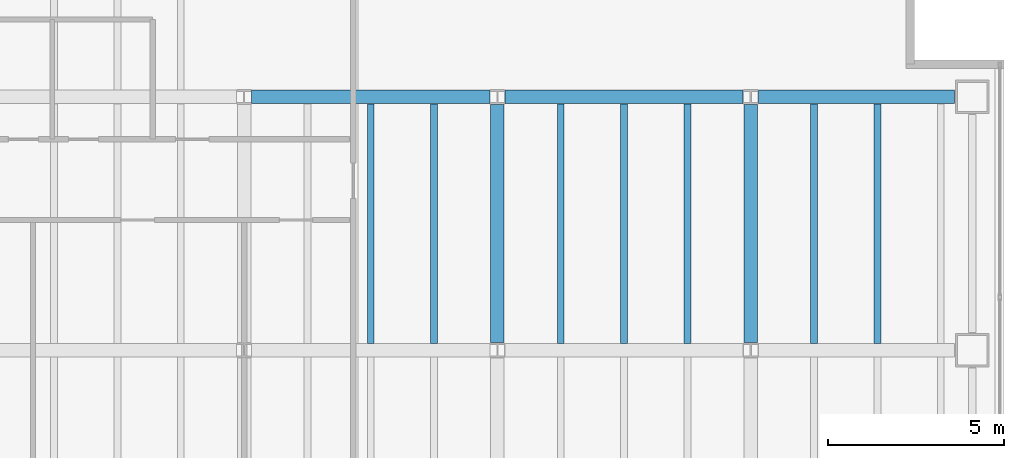
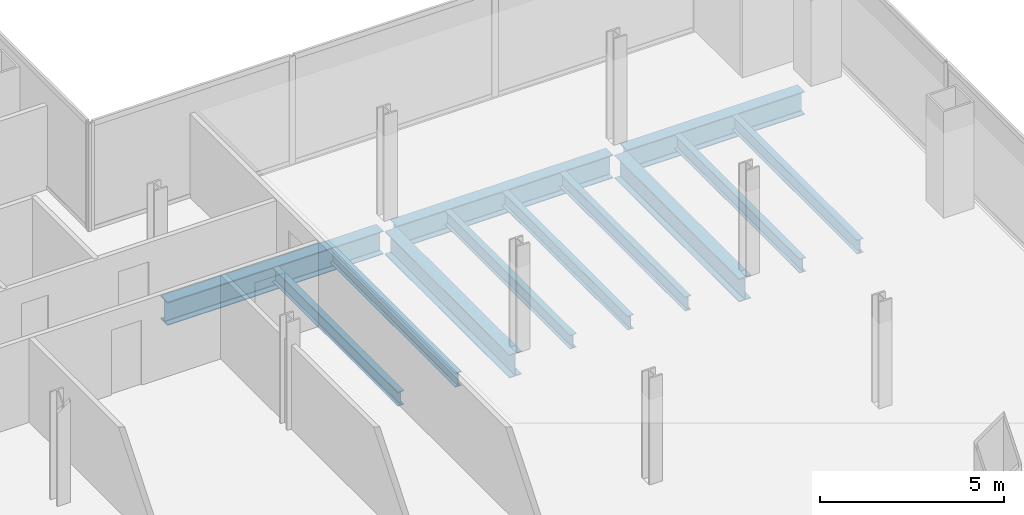
# One storey, part 11 of 24: 12 beams.
"""IFC4 building model written with IfcOpenShell, lengths in metres."""

from ifc_helpers import new_model, si_unit, direction, frame, origin, origin_2d, place, context, subcontext, project, spatial, i_section, extrude, material, material_profile, profile_set, type_object, element, save


model = new_model("IFC4")

# Units and contexts
model_context = context("Model", 3, precision=1e-05, world=origin(), true_north=direction((0.0, 1.0)))
body_context = subcontext(model_context, "Body", "Model", "MODEL_VIEW")
ifc_project = project(units=[si_unit("LENGTHUNIT", "METRE"), si_unit("AREAUNIT", "SQUARE_METRE"), si_unit("VOLUMEUNIT", "CUBIC_METRE"), si_unit("PLANEANGLEUNIT", "RADIAN"), si_unit("MASSUNIT", "GRAM", prefix="KILO")], contexts=[model_context])

# Site, building, storey
site_placement = place(None, origin())
site = spatial("IfcSite", under=ifc_project, at=site_placement, CompositionType="ELEMENT")
building_placement = place(site_placement, origin())
building = spatial("IfcBuilding", under=site, at=building_placement, Name="Cobrela Telecom Tower", CompositionType="ELEMENT")
storey_placement = place(building_placement, frame((0.0, 0.0, 77.35009765625)))
storey = spatial("IfcBuildingStorey", under=building, at=storey_placement, Name="L19", CompositionType="ELEMENT", Elevation=77.35009765625)

# Beams
ifc_material = material(Name="Steel ASTM A992 Grade 50", Category="steel")
ifc_material_profile_1 = material_profile(ifc_material, i_section(OverallWidth=0.381103515625, OverallDepth=0.77197265625, WebThickness=0.0166015625, FlangeThickness=0.027099609375, FilletRadius=0.01904296875, at=origin_2d()), Name="W30X173")
ifc_profile_set_1 = profile_set([ifc_material_profile_1], Name="Steel ASTM A992 Grade 50")
beam_type_1 = type_object("IfcBeamType", Name="BM-GIRD-04", PredefinedType="USERDEFINED", material=ifc_profile_set_1)
for number, where, z_axis, x_axis, name in (
    (1, (29.01611328125, 21.60009765625, -0.666015625), (1.0, 0.0, 0.0), (0.0, 1.0, 0.0), "L19 Primary Girder X20"),
    (2, (36.216064453125, 21.60009765625, -0.666015625), (1.0, 0.0, 0.0), (0.0, 1.0, 0.0), "L19 Primary Girder X21"),
):
    element("IfcBeam", number, at=place(storey_placement, frame(where, z_axis=z_axis, x_axis=x_axis)), inside=storey, type_object=beam_type_1, Name=name, ObjectType="GIRDER", PredefinedType="USERDEFINED", context=body_context, shape_type="SweptSolid", body=[
        extrude(i_section(OverallWidth=0.381103515625, OverallDepth=0.77197265625, WebThickness=0.0166015625, FlangeThickness=0.027099609375, FilletRadius=0.01904296875, at=origin_2d()), origin(), (0.0, 0.0, 1.0), 6.767822265625),
    ])
beam_placement = place(storey_placement, frame((43.416015625, 21.60009765625, -0.666015625), z_axis=(1.0, 0.0, 0.0), x_axis=(0.0, 1.0, 0.0)))
element("IfcBeam", 3, at=beam_placement, inside=storey, type_object=beam_type_1, Name="L19 Primary Girder X22", ObjectType="GIRDER", PredefinedType="USERDEFINED", context=body_context, shape_type="SweptSolid", body=[
    extrude(i_section(OverallWidth=0.381103515625, OverallDepth=0.77197265625, WebThickness=0.0166015625, FlangeThickness=0.027099609375, FilletRadius=0.01904296875, at=origin_2d()), origin(), (0.0, 0.0, 1.0), 5.5791015625),
])
for number, where, z_axis, x_axis, name in (
    (4, (36.0, 14.615966796875, -0.666015625), (0.0, 1.0, 0.0), (-1.0, 0.0, 0.0), "L19 Primary Girder Y52"),
    (5, (43.199951171875, 14.615966796875, -0.666015625), (0.0, 1.0, 0.0), (-1.0, 0.0, 0.0), "L19 Primary Girder Y55"),
):
    element("IfcBeam", number, at=place(storey_placement, frame(where, z_axis=z_axis, x_axis=x_axis)), inside=storey, type_object=beam_type_1, Name=name, ObjectType="GIRDER", PredefinedType="USERDEFINED", context=body_context, shape_type="SweptSolid", body=[
        extrude(i_section(OverallWidth=0.381103515625, OverallDepth=0.77197265625, WebThickness=0.0166015625, FlangeThickness=0.027099609375, FilletRadius=0.01904296875, at=origin_2d()), origin(), (0.0, 0.0, 1.0), 6.76806640625),
    ])
ifc_material_profile_2 = material_profile(ifc_material, i_section(OverallWidth=0.193115234375, OverallDepth=0.467041015625, WebThickness=0.011474609375, FlangeThickness=0.01904296875, FilletRadius=0.012939453125, at=origin_2d()), Name="W18X65")
ifc_profile_set_2 = profile_set([ifc_material_profile_2], Name="Steel ASTM A992 Grade 50")
beam_type_2 = type_object("IfcBeamType", Name="BM-JOIST-03", PredefinedType="JOIST", material=ifc_profile_set_2)
for number, where, z_axis, x_axis, name in (
    (6, (32.39990234375, 14.595458984375, -0.513671875), (0.0, 1.0, 0.0), (-1.0, 0.0, 0.0), "L19 Secondary Composite Floor Beam J46"),
    (7, (34.199951171875, 14.595458984375, -0.513671875), (0.0, 1.0, 0.0), (-1.0, 0.0, 0.0), "L19 Secondary Composite Floor Beam J49"),
    (8, (37.800048828125, 14.595458984375, -0.513671875), (0.0, 1.0, 0.0), (-1.0, 0.0, 0.0), "L19 Secondary Composite Floor Beam J52"),
    (9, (39.60009765625, 14.595458984375, -0.513671875), (0.0, 1.0, 0.0), (-1.0, 0.0, 0.0), "L19 Secondary Composite Floor Beam J55"),
    (10, (41.39990234375, 14.595458984375, -0.513671875), (0.0, 1.0, 0.0), (-1.0, 0.0, 0.0), "L19 Secondary Composite Floor Beam J58"),
    (11, (45.0, 14.595458984375, -0.513671875), (0.0, 1.0, 0.0), (-1.0, 0.0, 0.0), "L19 Secondary Composite Floor Beam J60"),
    (12, (46.800048828125, 14.595458984375, -0.513671875), (0.0, 1.0, 0.0), (-1.0, 0.0, 0.0), "L19 Secondary Composite Floor Beam J62"),
):
    element("IfcBeam", number, at=place(storey_placement, frame(where, z_axis=z_axis, x_axis=x_axis)), inside=storey, type_object=beam_type_2, Name=name, PredefinedType="JOIST", context=body_context, shape_type="SweptSolid", body=[
        extrude(i_section(OverallWidth=0.193115234375, OverallDepth=0.467041015625, WebThickness=0.011474609375, FlangeThickness=0.01904296875, FilletRadius=0.012939453125, at=origin_2d()), origin(), (0.0, 0.0, 1.0), 6.80908203125),
    ])

save(model, "model.ifc")
